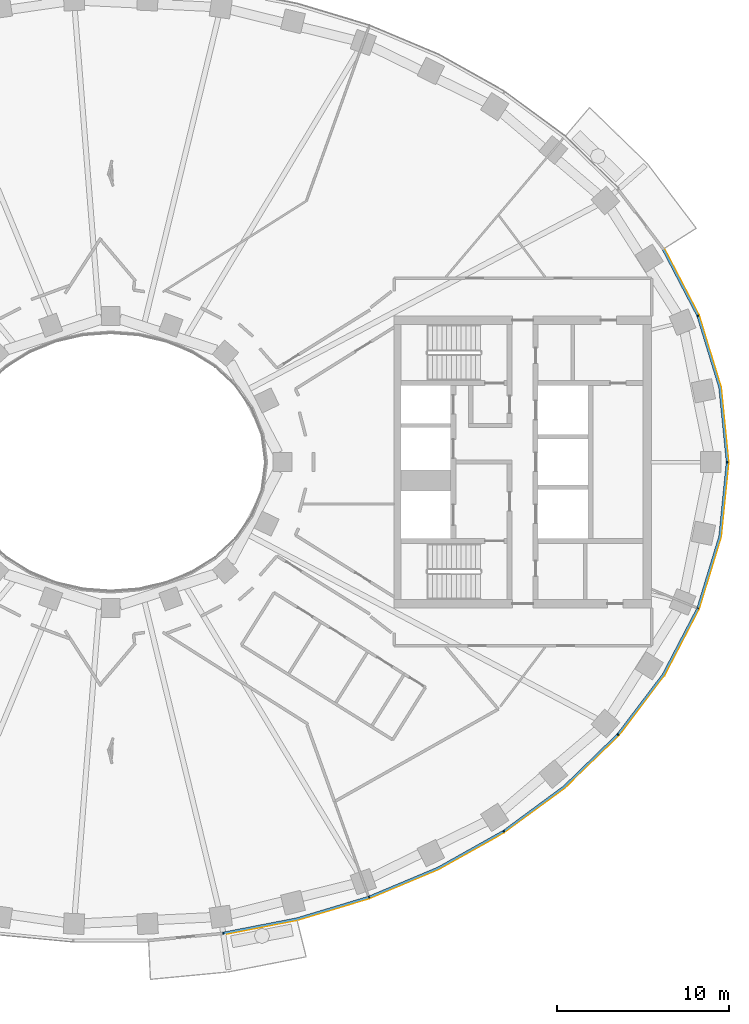
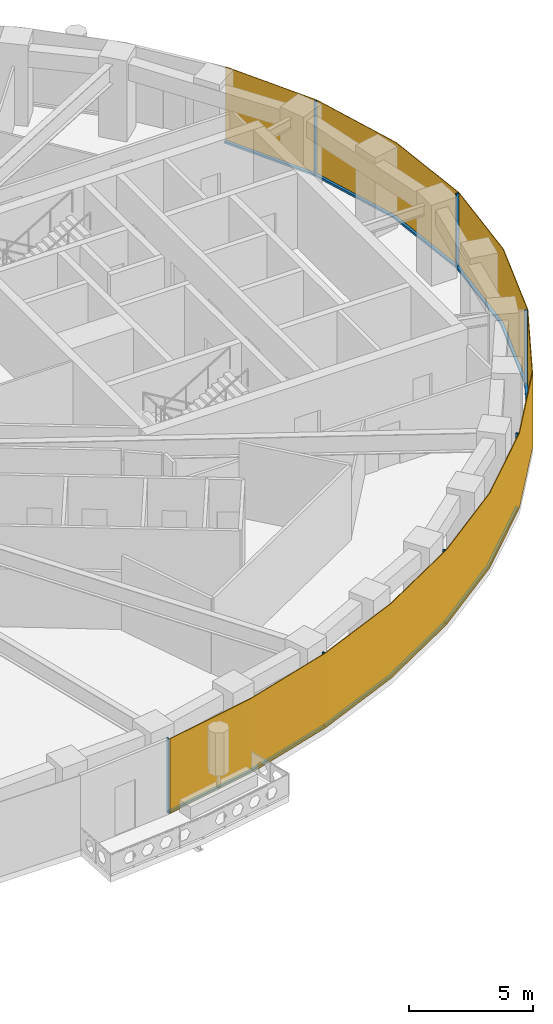
# One storey, part 10 of 16: 14 members, 1 curtain wall.
"""IFC4 building model written with IfcOpenShell, lengths in metres."""

from ifc_helpers import new_model, si_unit, direction, frame, origin, origin_2d, place, context, subcontext, project, spatial, polyline, rectangle, outline, extrude, material, layer, layer_set, material_profile, profile_set, type_object, element, aggregate, save


model = new_model("IFC4")

# Units and contexts
model_context = context("Model", 3, precision=1e-05, world=origin(), true_north=direction((0.0, 1.0)))
body_context = subcontext(model_context, "Body", "Model", "MODEL_VIEW")
ifc_project = project(units=[si_unit("LENGTHUNIT", "METRE"), si_unit("AREAUNIT", "SQUARE_METRE"), si_unit("VOLUMEUNIT", "CUBIC_METRE"), si_unit("PLANEANGLEUNIT", "RADIAN"), si_unit("MASSUNIT", "GRAM", prefix="KILO")], contexts=[model_context])

# Member
ifc_material_1 = material(Name="Aluminium 6063-T6 black anodised", Category="aluminium")
ifc_material_profile = material_profile(ifc_material_1, rectangle(XDim=0.1201171875, YDim=0.06005859375, at=origin_2d()), Name="120x60")
ifc_profile_set = profile_set([ifc_material_profile], Name="Aluminium 6063-T6 black anodised")
member_type_1 = type_object("IfcMemberType", Name="ENV-MULLION-A-120", PredefinedType="MULLION", material=ifc_profile_set)
site_placement = place(None, origin())
building_placement = place(site_placement, origin())
storey_placement = place(building_placement, frame((0.0, 0.0, 162.0)))
member_1_placement = place(storey_placement, frame((6.54638671875, -27.440185546875, 0.0), z_axis=(0.0, 0.0, 1.0), x_axis=(-0.143082012705, 0.989710835366, 0.0)))
member_1 = element("IfcMember", 1, at=member_1_placement, type_object=member_type_1, Name="Mullion A radial 37", PredefinedType="MULLION", context=body_context, shape_type="SweptSolid", body=[
    extrude(rectangle(XDim=0.1201171875, YDim=0.06005859375, at=origin_2d()), origin(), (0.0, 0.0, 1.0), 3.699951171875),
])

member_2_placement = place(storey_placement, frame((15.0341796875, -25.34375, 0.0), z_axis=(0.0, 0.0, 1.0), x_axis=(-0.338379256581, 0.941009818608, 0.0)))
member_2 = element("IfcMember", 2, at=member_2_placement, type_object=member_type_1, Name="Mullion A radial 39", PredefinedType="MULLION", context=body_context, shape_type="SweptSolid", body=[
    extrude(rectangle(XDim=0.1201171875, YDim=0.06005859375, at=origin_2d()), origin(), (0.0, 0.0, 1.0), 3.699951171875),
])

member_3_placement = place(storey_placement, frame((22.882568359375, -21.506591796875, 0.0), z_axis=(0.0, 0.0, 1.0), x_axis=(-0.542279153225, 0.840198381323, 0.0)))
member_3 = element("IfcMember", 3, at=member_3_placement, type_object=member_type_1, Name="Mullion A radial 41", PredefinedType="MULLION", context=body_context, shape_type="SweptSolid", body=[
    extrude(rectangle(XDim=0.1201171875, YDim=0.06005859375, at=origin_2d()), origin(), (0.0, 0.0, 1.0), 3.699951171875),
])

member_4_placement = place(storey_placement, frame((29.53857421875, -15.8671875, 0.0), z_axis=(0.0, 0.0, 1.0), x_axis=(-0.749047221705, 0.662516610853, 0.0)))
member_4 = element("IfcMember", 4, at=member_4_placement, type_object=member_type_1, Name="Mullion A radial 43", PredefinedType="MULLION", context=body_context, shape_type="SweptSolid", body=[
    extrude(rectangle(XDim=0.1201171875, YDim=0.06005859375, at=origin_2d()), origin(), (0.0, 0.0, 1.0), 3.699951171875),
])

member_5_placement = place(storey_placement, frame((34.19580078125, -8.513916015625, 0.0), z_axis=(0.0, 0.0, 1.0), x_axis=(-0.92546738067, 0.378827305398, 0.0)))
member_5 = element("IfcMember", 5, at=member_5_placement, type_object=member_type_1, Name="Mullion A radial 45", PredefinedType="MULLION", context=body_context, shape_type="SweptSolid", body=[
    extrude(rectangle(XDim=0.1201171875, YDim=0.06005859375, at=origin_2d()), origin(), (0.0, 0.0, 1.0), 3.699951171875),
])

member_6_placement = place(storey_placement, frame((35.907958984375, 0.0, 0.0), z_axis=(0.0, 0.0, 1.0), x_axis=(-1.0, 0.0, 0.0)))
member_6 = element("IfcMember", 6, at=member_6_placement, type_object=member_type_1, Name="Mullion A radial 01", PredefinedType="MULLION", context=body_context, shape_type="SweptSolid", body=[
    extrude(rectangle(XDim=0.1201171875, YDim=0.06005859375, at=origin_2d()), origin(), (0.0, 0.0, 1.0), 3.699951171875),
])

member_7_placement = place(storey_placement, frame((34.19580078125, 8.513916015625, 0.0), z_axis=(0.0, 0.0, 1.0), x_axis=(-0.92546738067, -0.378827305398, 0.0)))
member_7 = element("IfcMember", 7, at=member_7_placement, type_object=member_type_1, Name="Mullion A radial 03", PredefinedType="MULLION", context=body_context, shape_type="SweptSolid", body=[
    extrude(rectangle(XDim=0.1201171875, YDim=0.06005859375, at=origin_2d()), origin(), (0.0, 0.0, 1.0), 3.699951171875),
])

ifc_material_2 = material(Name="Aluminium 6063-T6 black anodised", Category="aluminium")
member_type_2 = type_object("IfcMemberType", Name="ENV-TRANSOM-A", PredefinedType="USERDEFINED", material=ifc_material_2)
member_8_placement = place(storey_placement, origin())
member_8 = element("IfcMember", 8, at=member_8_placement, type_object=member_type_2, Name="Transom A radial 37-39", ObjectType="TRANSOM", PredefinedType="USERDEFINED", context=body_context, shape_type="SweptSolid", body=[
    extrude(outline(polyline([(6.58251953125, -27.494140625), (10.857666015625, -26.6630859375), (15.027587890625, -25.408203125), (14.987060546875, -25.295166015625), (10.828857421875, -26.54638671875), (6.5654296875, -27.375244140625), (6.58251953125, -27.494140625)])), origin(), (0.0, 0.0, 1.0), 0.10009765625),
])

member_9_placement = place(storey_placement, origin())
member_9 = element("IfcMember", 9, at=member_9_placement, type_object=member_type_2, Name="Transom A radial 39-41", ObjectType="TRANSOM", PredefinedType="USERDEFINED", context=body_context, shape_type="SweptSolid", body=[
    extrude(outline(polyline([(15.080322265625, -25.389404296875), (19.093994140625, -23.701416015625), (22.890625, -21.570556640625), (22.825439453125, -21.469482421875), (19.041259765625, -23.593505859375), (15.03955078125, -25.276123046875), (15.080322265625, -25.389404296875)])), origin(), (0.0, 0.0, 1.0), 0.10009765625),
])

member_10_placement = place(storey_placement, origin())
member_10 = element("IfcMember", 10, at=member_10_placement, type_object=member_type_2, Name="Transom A radial 41-43", ObjectType="TRANSOM", PredefinedType="USERDEFINED", context=body_context, shape_type="SweptSolid", body=[
    extrude(outline(polyline([(22.937744140625, -21.540283203125), (26.4423828125, -18.958740234375), (29.5634765625, -15.926513671875), (29.473388671875, -15.8466796875), (26.364501953125, -18.866943359375), (22.87255859375, -21.439208984375), (22.937744140625, -21.540283203125)])), origin(), (0.0, 0.0, 1.0), 0.10009765625),
])

member_11_placement = place(storey_placement, origin())
member_11 = element("IfcMember", 11, at=member_11_placement, type_object=member_type_2, Name="Transom A radial 43-45", ObjectType="TRANSOM", PredefinedType="USERDEFINED", context=body_context, shape_type="SweptSolid", body=[
    extrude(outline(polyline([(29.6005859375, -15.884521484375), (32.22802734375, -12.41748046875), (34.23828125, -8.5615234375), (34.126708984375, -8.515869140625), (32.126220703125, -12.35302734375), (29.51025390625, -15.8046875), (29.6005859375, -15.884521484375)])), origin(), (0.0, 0.0, 1.0), 0.10009765625),
])

member_12_placement = place(storey_placement, origin())
member_12 = element("IfcMember", 12, at=member_12_placement, type_object=member_type_2, Name="Transom A radial 45-01", ObjectType="TRANSOM", PredefinedType="USERDEFINED", context=body_context, shape_type="SweptSolid", body=[
    extrude(outline(polyline([(34.259521484375, -8.509765625), (35.529541015625, -4.352294921875), (35.965087890625, -0.02783203125), (35.844482421875, -0.02783203125), (35.411376953125, -4.32861328125), (34.14794921875, -8.464111328125), (34.259521484375, -8.509765625)])), origin(), (0.0, 0.0, 1.0), 0.10009765625),
])

member_13_placement = place(storey_placement, origin())
member_13 = element("IfcMember", 13, at=member_13_placement, type_object=member_type_2, Name="Transom A radial 01-03", ObjectType="TRANSOM", PredefinedType="USERDEFINED", context=body_context, shape_type="SweptSolid", body=[
    extrude(outline(polyline([(35.965087890625, 0.02783203125), (35.529541015625, 4.352294921875), (34.259521484375, 8.509765625), (34.14794921875, 8.464111328125), (35.411376953125, 4.32861328125), (35.844482421875, 0.02783203125), (35.965087890625, 0.02783203125)])), origin(), (0.0, 0.0, 1.0), 0.10009765625),
])

member_14_placement = place(storey_placement, origin())
member_14 = element("IfcMember", 14, at=member_14_placement, type_object=member_type_2, Name="Transom A radial 03-04", ObjectType="TRANSOM", PredefinedType="USERDEFINED", context=body_context, shape_type="SweptSolid", body=[
    extrude(outline(polyline([(34.23828125, 8.5615234375), (32.2373046875, 12.39990234375), (32.135498046875, 12.33544921875), (34.126708984375, 8.515869140625), (34.23828125, 8.5615234375)])), origin(), (0.0, 0.0, 1.0), 0.10009765625),
])

# Site, building, storey
site = spatial("IfcSite", under=ifc_project, at=site_placement, CompositionType="ELEMENT")
building = spatial("IfcBuilding", under=site, at=building_placement, Name="Noorbagh Ring Tower", CompositionType="ELEMENT")
storey = spatial("IfcBuildingStorey", under=building, at=storey_placement, Name="L37", CompositionType="ELEMENT", Elevation=162.0)

# Curtain wall
ifc_material_3 = material(Name="Glass dark tinted laminated", Category="glass")
ifc_layer = layer(ifc_material_3, 0.031982421875)
ifc_layer_set = layer_set([ifc_layer], Name="Glass dark tinted laminated")
curtain_wall_type = type_object("IfcCurtainWallType", Name="ENV-CW-A", PredefinedType="NOTDEFINED", material=ifc_layer_set)
curtain_wall_placement = place(storey_placement, origin())
curtain_wall = element("IfcCurtainWall", 15, at=curtain_wall_placement, inside=storey, type_object=curtain_wall_type, Name="Curtain wall A R37", PredefinedType="NOTDEFINED", context=body_context, shape_type="SweptSolid", body=[
    extrude(outline(polyline([(6.579345703125, -27.52734375), (10.865234375, -26.6943359375), (15.065185546875, -25.430419921875), (19.108154296875, -23.730224609375), (22.9326171875, -21.583740234375), (26.463134765625, -18.9833984375), (29.607666015625, -15.927978515625), (32.255126953125, -12.434814453125), (34.281005859375, -8.548828125), (35.561279296875, -4.358642578125), (36.0, 0.0), (35.561279296875, 4.358642578125), (34.281005859375, 8.548828125), (32.264404296875, 12.4169921875), (32.2373046875, 12.39990234375), (34.251220703125, 8.53662109375), (35.529541015625, 4.352294921875), (35.9677734375, 0.0), (35.529541015625, -4.352294921875), (34.251220703125, -8.53662109375), (32.22802734375, -12.41748046875), (29.58349609375, -15.906982421875), (26.4423828125, -18.958740234375), (22.9150390625, -21.556884765625), (19.093994140625, -23.701416015625), (15.054443359375, -25.400146484375), (10.857666015625, -26.6630859375), (6.57470703125, -27.49560546875), (6.579345703125, -27.52734375)])), origin(), (0.0, 0.0, 1.0), 3.699951171875),
])

aggregate(curtain_wall, [member_1, member_2, member_3, member_4, member_5, member_6, member_7, member_8, member_9, member_10, member_11, member_12, member_13, member_14])

save(model, "model.ifc")
